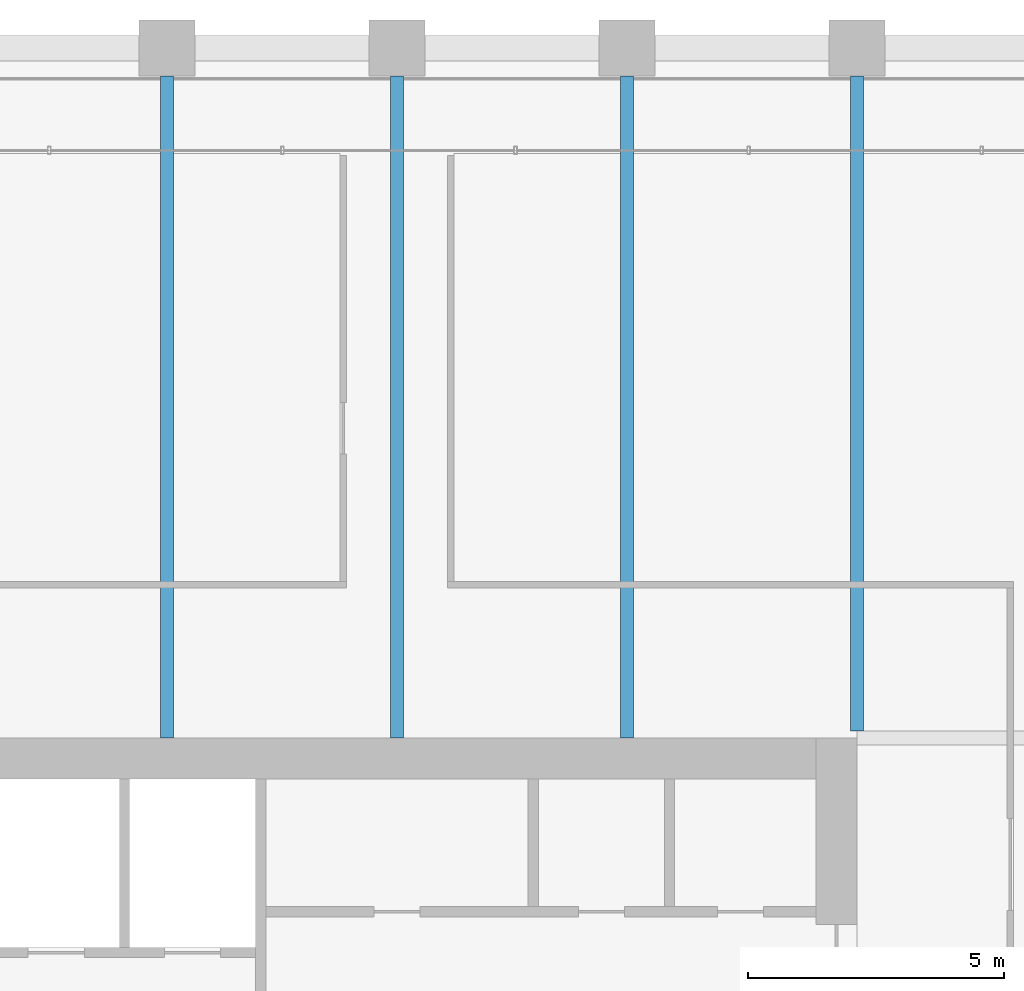
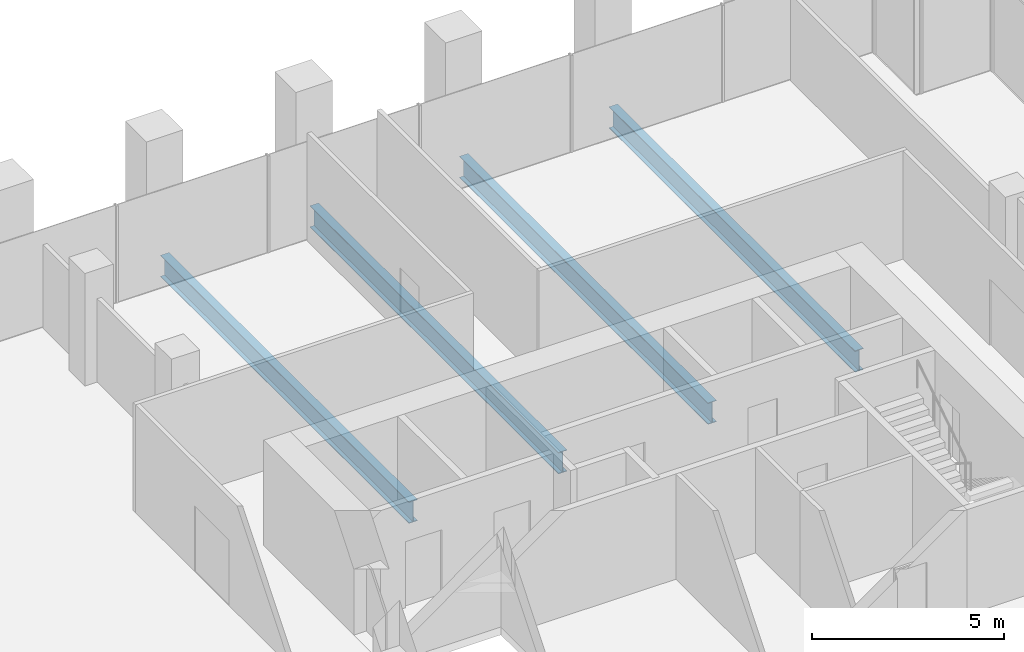
# One storey, part 28 of 54: 4 beams.
"""IFC4 building model written with IfcOpenShell, lengths in metres."""

from ifc_helpers import new_model, si_unit, direction, frame, origin, origin_2d, place, context, subcontext, project, spatial, i_section, extrude, material, material_profile, profile_set, type_object, element, save


model = new_model("IFC4")

# Units and contexts
model_context = context("Model", 3, precision=1e-05, world=origin(), true_north=direction((0.0, 1.0)))
body_context = subcontext(model_context, "Body", "Model", "MODEL_VIEW")
ifc_project = project(units=[si_unit("LENGTHUNIT", "METRE"), si_unit("AREAUNIT", "SQUARE_METRE"), si_unit("VOLUMEUNIT", "CUBIC_METRE"), si_unit("PLANEANGLEUNIT", "RADIAN"), si_unit("MASSUNIT", "GRAM", prefix="KILO")], contexts=[model_context])

# Site, building, storey
site_placement = place(None, origin())
site = spatial("IfcSite", under=ifc_project, at=site_placement, CompositionType="ELEMENT")
building_placement = place(site_placement, origin())
building = spatial("IfcBuilding", under=site, at=building_placement, Name="Altepetl Exchange Towers", CompositionType="ELEMENT")
storey_placement = place(building_placement, frame((0.0, 0.0, 58.199951171875)))
storey = spatial("IfcBuildingStorey", under=building, at=storey_placement, Name="L13", CompositionType="ELEMENT", Elevation=58.199951171875)

# Beams
ifc_material = material(Name="Steel S355", Category="steel")
ifc_material_profile = material_profile(ifc_material, i_section(OverallWidth=0.25390625, OverallDepth=0.68408203125, WebThickness=0.012451171875, FlangeThickness=0.018798828125, at=origin_2d()), Name="W27X94")
ifc_profile_set = profile_set([ifc_material_profile], Name="Steel S355")
beam_type = type_object("IfcBeamType", Name="Floor beam W27X94", PredefinedType="BEAM", material=ifc_profile_set)
for number, where, z_axis, x_axis, name in (
    (1, (45.0, 58.5, -0.491943359375), (0.0, 1.0, 0.0), (-1.0, 0.0, 0.0), "bm:A:L13:000"),
    (2, (49.5, 58.5, -0.491943359375), (0.0, 1.0, 0.0), (-1.0, 0.0, 0.0), "bm:A:L13:001"),
    (3, (54.0, 58.5, -0.491943359375), (0.0, 1.0, 0.0), (-1.0, 0.0, 0.0), "bm:A:L13:002"),
):
    element("IfcBeam", number, at=place(storey_placement, frame(where, z_axis=z_axis, x_axis=x_axis)), inside=storey, type_object=beam_type, Name=name, PredefinedType="BEAM", context=body_context, shape_type="SweptSolid", body=[
        extrude(i_section(OverallWidth=0.25390625, OverallDepth=0.68408203125, WebThickness=0.012451171875, FlangeThickness=0.018798828125, at=origin_2d()), origin(), (0.0, 0.0, 1.0), 12.949951171875),
    ])
beam_placement = place(storey_placement, frame((58.5, 58.634033203125, -0.491943359375), z_axis=(0.0, 1.0, 0.0), x_axis=(-1.0, 0.0, 0.0)))
element("IfcBeam", 4, at=beam_placement, inside=storey, type_object=beam_type, Name="bm:A:L13:003", PredefinedType="BEAM", context=body_context, shape_type="SweptSolid", body=[
    extrude(i_section(OverallWidth=0.25390625, OverallDepth=0.68408203125, WebThickness=0.012451171875, FlangeThickness=0.018798828125, at=origin_2d()), origin(), (0.0, 0.0, 1.0), 12.81591796875),
])

save(model, "model.ifc")
